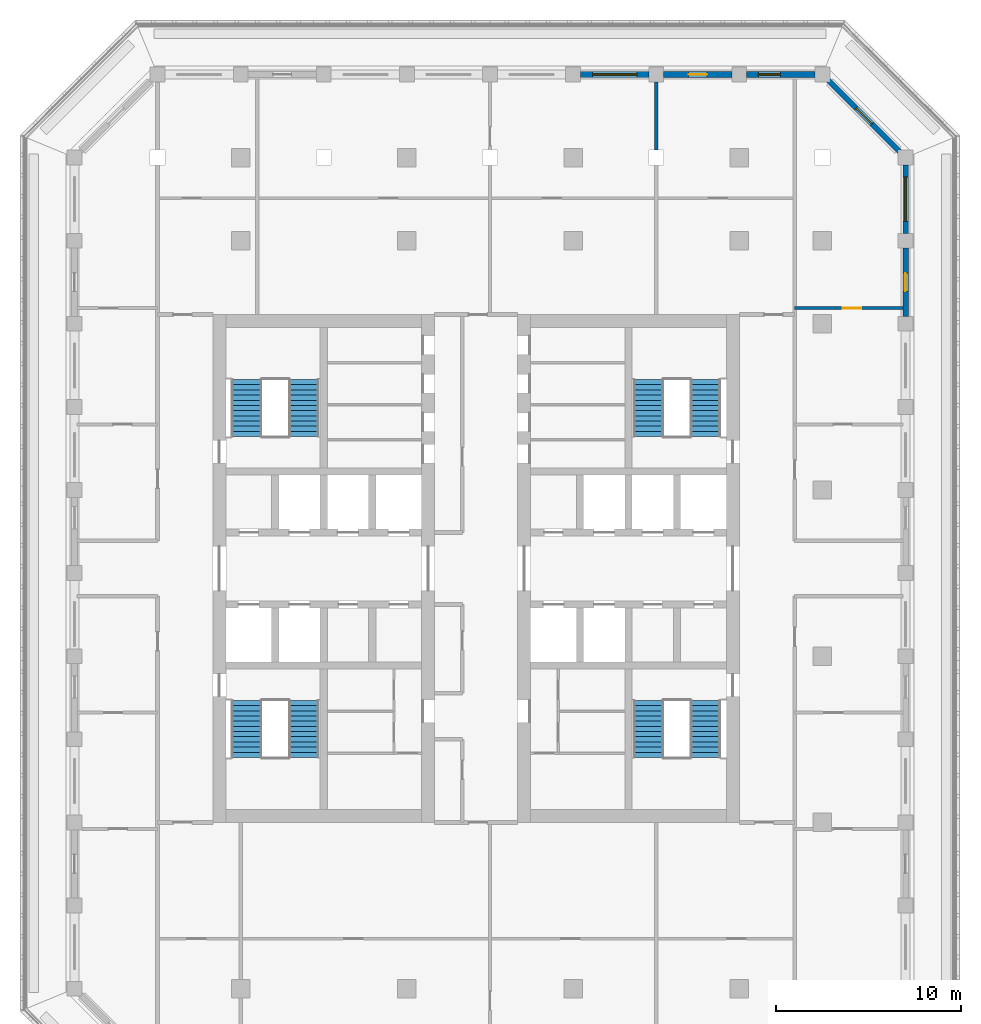
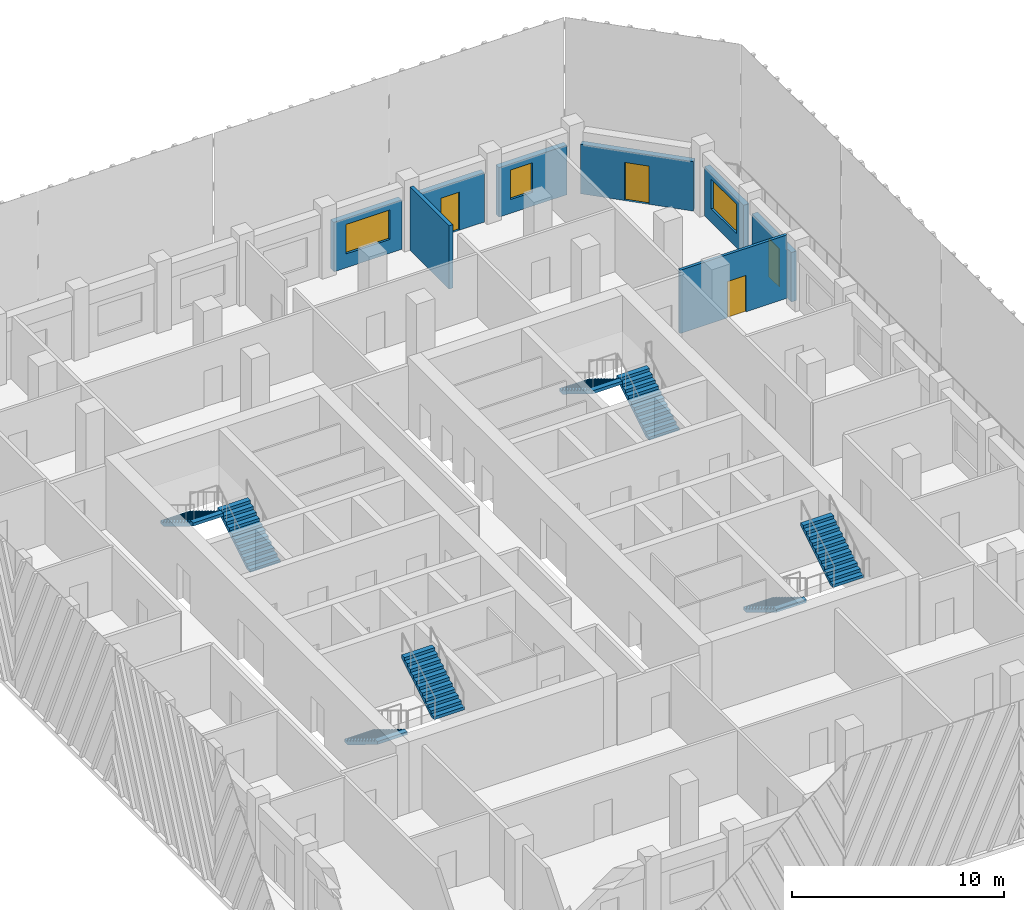
# One storey, part 8 of 17: 8 stair flights, 8 walls, 4 doors, 3 windows, 7 openings, 4 elements without a shape of their own.
"""IFC4 building model written with IfcOpenShell, lengths in metres."""

from ifc_helpers import new_model, si_unit, direction, frame, frame_2d, origin, place, context, subcontext, project, spatial, polyline, rectangle, outline, extrude, material, layer, layer_set, type_object, element, fill, aggregate, save


model = new_model("IFC4")

# Units and contexts
model_context = context("Model", 3, precision=1e-05, world=origin(), true_north=direction((0.0, 1.0)))
body_context = subcontext(model_context, "Body", "Model", "MODEL_VIEW")
ifc_project = project(units=[si_unit("LENGTHUNIT", "METRE"), si_unit("AREAUNIT", "SQUARE_METRE"), si_unit("VOLUMEUNIT", "CUBIC_METRE"), si_unit("PLANEANGLEUNIT", "RADIAN"), si_unit("MASSUNIT", "GRAM", prefix="KILO")], contexts=[model_context])

# Site, building, storey
site_placement = place(None, origin())
site = spatial("IfcSite", under=ifc_project, at=site_placement, CompositionType="ELEMENT")
building_placement = place(site_placement, origin())
building = spatial("IfcBuilding", under=site, at=building_placement, Name="Corbel Stack Research Tower", CompositionType="ELEMENT")
storey_placement = place(building_placement, frame((0.0, 0.0, 231.60009765625)))
storey = spatial("IfcBuildingStorey", under=building, at=storey_placement, Name="L52", CompositionType="ELEMENT", Elevation=231.60009765625)

# Wall
ifc_material_1 = material(Name="Fire-rated gypsum board partition on steel studs", Category="steel")
ifc_layer_1 = layer(ifc_material_1, 0.199951171875)
ifc_layer_set_1 = layer_set([ifc_layer_1], Name="Fire-rated gypsum board partition on steel studs")
wall_type_1 = type_object("IfcWallType", Name="Fire-rated partition 200 EI 60", PredefinedType="PARTITIONING", material=ifc_layer_set_1)
wall_1_placement = place(storey_placement, frame((13.5, 27.39990234375, 0.0), z_axis=(0.0, 0.0, 1.0), x_axis=(0.0, 1.0, 0.0)))
element("IfcWall", 1, at=wall_1_placement, inside=storey, type_object=wall_type_1, Name="Partition L52-015", PredefinedType="PARTITIONING", context=body_context, shape_type="SweptSolid", body=[
    extrude(rectangle(XDim=3.7001953125, YDim=0.199951171875, at=frame_2d((1.85009765625, 0.0))), origin(), (0.0, 0.0, 1.0), 3.64990234375),
])

# Wall, opening, door
ifc_material_2 = material(Name="Gypsum board partition on steel studs", Category="steel")
ifc_layer_2 = layer(ifc_material_2, 0.14990234375)
ifc_layer_set_2 = layer_set([ifc_layer_2], Name="Gypsum board partition on steel studs")
wall_type_2 = type_object("IfcWallType", Name="Partition 150", PredefinedType="PARTITIONING", material=ifc_layer_set_2)
wall_2_placement = place(storey_placement, frame((21.0, 18.85009765625, 0.0), z_axis=(0.0, 0.0, 1.0), x_axis=(1.0, 0.0, 0.0)))
wall_2 = element("IfcWall", 2, at=wall_2_placement, inside=storey, type_object=wall_type_2, Name="Partition L52-041", PredefinedType="PARTITIONING", context=body_context, shape_type="SweptSolid", body=[
    extrude(rectangle(XDim=5.85009765625, YDim=0.14990234375, at=frame_2d((2.925048828125, 0.0))), origin(), (0.0, 0.0, 1.0), 3.64990234375),
])
opening_1_placement = place(wall_2_placement, frame((2.60009765625, 0.0, 0.0)))
opening_1 = element("IfcOpeningElement", 3, at=opening_1_placement, cuts=wall_2, Name="Opening B7V0H-025", PredefinedType="OPENING", context=body_context, shape_type="SweptSolid", body=[
    extrude(rectangle(XDim=1.0, YDim=2.10009765625, at=frame_2d((0.5, 1.050048828125))), frame((0.0, 0.0849609375, 0.0), z_axis=(0.0, -1.0, 0.0), x_axis=(1.0, 0.0, 0.0)), (0.0, 0.0, 1.0), 0.169921875),
])
ifc_material_3 = material(Name="Painted timber door", Category="wood")
door_type_1 = type_object("IfcDoorType", Name="Single door 1000 x 2100", OperationType="NOTDEFINED", PredefinedType="DOOR", material=ifc_material_3)
door_1_placement = place(opening_1_placement, origin())
door_1 = element("IfcDoor", 4, at=door_1_placement, inside=storey, type_object=door_type_1, Name="Door B7V0H-025", OperationType="SINGLE_SWING_RIGHT", OverallHeight=2.10009765625, OverallWidth=1.0, PredefinedType="DOOR", context=body_context, shape_type="SweptSolid", body=[
    extrude(rectangle(XDim=1.0, YDim=2.10009765625, at=frame_2d((0.5, 1.050048828125))), frame((0.0, 0.02490234375, 0.0), z_axis=(0.0, -1.0, 0.0), x_axis=(1.0, 0.0, 0.0)), (0.0, 0.0, 1.0), 0.050048828125),
])
fill(opening_1, door_1)

ifc_material_4 = material(Name="Concrete C45/55", Category="concrete")
ifc_layer_3 = layer(ifc_material_4, 0.300048828125)
ifc_layer_set_3 = layer_set([ifc_layer_3], Name="Concrete C45/55")
wall_type_3 = type_object("IfcWallType", Name="Terracotta-faced concrete wall 300", PredefinedType="SOLIDWALL", material=ifc_layer_set_3)
wall_3_placement = place(storey_placement, frame((27.0, 22.10009765625, 0.0), z_axis=(0.0, 0.0, 1.0), x_axis=(0.0, -1.0, 0.0)))
wall_3 = element("IfcWall", 5, at=wall_3_placement, inside=storey, type_object=wall_type_3, Name="Facade wall L52 E09", PredefinedType="SOLIDWALL", context=body_context, shape_type="SweptSolid", body=[
    extrude(rectangle(XDim=3.7001953125, YDim=0.300048828125, at=frame_2d((1.85009765625, 0.0))), origin(), (0.0, 0.0, 1.0), 2.849853515625),
])
opening_2_placement = place(wall_3_placement, frame((1.35009765625, 0.0, 0.0)))
opening_2 = element("IfcOpeningElement", 6, at=opening_2_placement, cuts=wall_3, Name="Opening L52-B05", PredefinedType="OPENING", context=body_context, shape_type="SweptSolid", body=[
    extrude(rectangle(XDim=1.0, YDim=2.199951171875, at=frame_2d((0.5, 1.10009765625))), frame((0.0, 0.159912109375, 0.0), z_axis=(0.0, -1.0, 0.0), x_axis=(1.0, 0.0, 0.0)), (0.0, 0.0, 1.0), 0.320068359375),
])
ifc_material_5 = material(Name="Aluminium frame, clear double glazing", Category="aluminium")
door_type_2 = type_object("IfcDoorType", Name="Balcony door BD1 1000 x 2200", OperationType="NOTDEFINED", PredefinedType="DOOR", material=ifc_material_5)
door_2_placement = place(opening_2_placement, origin())
door_2 = element("IfcDoor", 7, at=door_2_placement, inside=storey, type_object=door_type_2, Name="Balcony door L52-B05", OperationType="SINGLE_SWING_LEFT", OverallHeight=2.199951171875, OverallWidth=1.0, PredefinedType="DOOR", context=body_context, shape_type="SweptSolid", body=[
    extrude(rectangle(XDim=1.0, YDim=2.199951171875, at=frame_2d((0.5, 1.10009765625))), frame((0.0, 0.02490234375, 0.0), z_axis=(0.0, -1.0, 0.0), x_axis=(1.0, 0.0, 0.0)), (0.0, 0.0, 1.0), 0.050048828125),
])
fill(opening_2, door_2)

# Wall, opening, window
wall_4_placement = place(storey_placement, frame((27.0, 26.60009765625, 0.0), z_axis=(0.0, 0.0, 1.0), x_axis=(0.0, -1.0, 0.0)))
wall_4 = element("IfcWall", 8, at=wall_4_placement, inside=storey, type_object=wall_type_3, Name="Facade wall L52 E10", PredefinedType="SOLIDWALL", context=body_context, shape_type="SweptSolid", body=[
    extrude(rectangle(XDim=3.7001953125, YDim=0.300048828125, at=frame_2d((1.85009765625, 0.0))), origin(), (0.0, 0.0, 1.0), 2.849853515625),
])
opening_3_placement = place(wall_4_placement, frame((0.64990234375, 0.0, 0.800048828125)))
opening_3 = element("IfcOpeningElement", 9, at=opening_3_placement, cuts=wall_4, Name="Opening W1", PredefinedType="OPENING", context=body_context, shape_type="SweptSolid", body=[
    extrude(rectangle(XDim=2.39990234375, YDim=1.699951171875, at=frame_2d((1.199951171875, 0.85009765625))), frame((0.0, 0.159912109375, 0.0), z_axis=(0.0, -1.0, 0.0), x_axis=(1.0, 0.0, 0.0)), (0.0, 0.0, 1.0), 0.320068359375),
])
ifc_material_6 = material(Name="Aluminium frame, clear double glazing", Category="aluminium")
window_type_1 = type_object("IfcWindowType", Name="Window W1 2400 x 1700", PartitioningType="SINGLE_PANEL", PredefinedType="WINDOW", material=ifc_material_6)
window_1_placement = place(opening_3_placement, origin())
window_1 = element("IfcWindow", 10, at=window_1_placement, inside=storey, type_object=window_type_1, Name="Window W1 L52 E10", OverallHeight=1.699951171875, OverallWidth=2.39990234375, PartitioningType="SINGLE_PANEL", PredefinedType="WINDOW", context=body_context, shape_type="SweptSolid", body=[
    extrude(rectangle(XDim=2.39990234375, YDim=1.699951171875, at=frame_2d((1.199951171875, 0.85009765625))), frame((0.0, 0.030029296875, 0.0), z_axis=(0.0, -1.0, 0.0), x_axis=(1.0, 0.0, 0.0)), (0.0, 0.0, 1.0), 0.06005859375),
])
fill(opening_3, window_1)

# Wall, opening, door
wall_5_placement = place(storey_placement, frame((22.7939453125, 31.2060546875, 0.0), z_axis=(0.0, 0.0, 1.0), x_axis=(0.707106781187, -0.707106781187, 0.0)))
wall_5 = element("IfcWall", 11, at=wall_5_placement, inside=storey, type_object=wall_type_3, Name="Facade wall L52 NE01", PredefinedType="SOLIDWALL", context=body_context, shape_type="SweptSolid", body=[
    extrude(rectangle(XDim=5.532470703125, YDim=0.300048828125, at=frame_2d((2.76611328125, 0.0))), origin(), (0.0, 0.0, 1.0), 2.849853515625),
])
opening_4_placement = place(wall_5_placement, frame((2.166259765625, 0.0, 0.0)))
opening_4 = element("IfcOpeningElement", 12, at=opening_4_placement, cuts=wall_5, Name="Opening L52-B06", PredefinedType="OPENING", context=body_context, shape_type="SweptSolid", body=[
    extrude(rectangle(XDim=1.199951171875, YDim=2.199951171875, at=frame_2d((0.60009765625, 1.10009765625))), frame((0.0, 0.159912109375, 0.0), z_axis=(0.0, -1.0, 0.0), x_axis=(1.0, 0.0, 0.0)), (0.0, 0.0, 1.0), 0.320068359375),
])
ifc_material_7 = material(Name="Aluminium frame, clear double glazing", Category="aluminium")
door_type_3 = type_object("IfcDoorType", Name="Balcony door BD2 1200 x 2200", OperationType="NOTDEFINED", PredefinedType="DOOR", material=ifc_material_7)
door_3_placement = place(opening_4_placement, origin())
door_3 = element("IfcDoor", 13, at=door_3_placement, inside=storey, type_object=door_type_3, Name="Balcony door L52-B06", OperationType="SINGLE_SWING_LEFT", OverallHeight=2.199951171875, OverallWidth=1.199951171875, PredefinedType="DOOR", context=body_context, shape_type="SweptSolid", body=[
    extrude(rectangle(XDim=1.199951171875, YDim=2.199951171875, at=frame_2d((0.60009765625, 1.10009765625))), frame((0.0, 0.02490234375, 0.0), z_axis=(0.0, -1.0, 0.0), x_axis=(1.0, 0.0, 0.0)), (0.0, 0.0, 1.0), 0.050048828125),
])
fill(opening_4, door_3)

# Wall, opening, window
wall_6_placement = place(storey_placement, frame((18.39990234375, 31.5, 0.0), z_axis=(0.0, 0.0, 1.0), x_axis=(1.0, 0.0, 0.0)))
wall_6 = element("IfcWall", 14, at=wall_6_placement, inside=storey, type_object=wall_type_3, Name="Facade wall L52 N01", PredefinedType="SOLIDWALL", context=body_context, shape_type="SweptSolid", body=[
    extrude(rectangle(XDim=3.7001953125, YDim=0.300048828125, at=frame_2d((1.85009765625, 0.0))), origin(), (0.0, 0.0, 1.0), 2.849853515625),
])
opening_5_placement = place(wall_6_placement, frame((0.625, 0.0, 0.800048828125)))
opening_5 = element("IfcOpeningElement", 15, at=opening_5_placement, cuts=wall_6, Name="Opening W2", PredefinedType="OPENING", context=body_context, shape_type="SweptSolid", body=[
    extrude(rectangle(XDim=1.199951171875, YDim=1.699951171875, at=frame_2d((0.60009765625, 0.85009765625))), frame((0.0, 0.159912109375, 0.0), z_axis=(0.0, -1.0, 0.0), x_axis=(1.0, 0.0, 0.0)), (0.0, 0.0, 1.0), 0.320068359375),
])
ifc_material_8 = material(Name="Aluminium frame, clear double glazing", Category="aluminium")
window_type_2 = type_object("IfcWindowType", Name="Window W2 1200 x 1700", PartitioningType="SINGLE_PANEL", PredefinedType="WINDOW", material=ifc_material_8)
window_2_placement = place(opening_5_placement, origin())
window_2 = element("IfcWindow", 16, at=window_2_placement, inside=storey, type_object=window_type_2, Name="Window W2 L52 N01", OverallHeight=1.699951171875, OverallWidth=1.199951171875, PartitioningType="SINGLE_PANEL", PredefinedType="WINDOW", context=body_context, shape_type="SweptSolid", body=[
    extrude(rectangle(XDim=1.199951171875, YDim=1.699951171875, at=frame_2d((0.60009765625, 0.85009765625))), frame((0.0, 0.030029296875, 0.0), z_axis=(0.0, -1.0, 0.0), x_axis=(1.0, 0.0, 0.0)), (0.0, 0.0, 1.0), 0.06005859375),
])
fill(opening_5, window_2)

# Wall, opening, door
wall_7_placement = place(storey_placement, frame((13.89990234375, 31.5, 0.0), z_axis=(0.0, 0.0, 1.0), x_axis=(1.0, 0.0, 0.0)))
wall_7 = element("IfcWall", 17, at=wall_7_placement, inside=storey, type_object=wall_type_3, Name="Facade wall L52 N02", PredefinedType="SOLIDWALL", context=body_context, shape_type="SweptSolid", body=[
    extrude(rectangle(XDim=3.7001953125, YDim=0.300048828125, at=frame_2d((1.85009765625, 0.0))), origin(), (0.0, 0.0, 1.0), 2.849853515625),
])
opening_6_placement = place(wall_7_placement, frame((1.35009765625, 0.0, 0.0)))
opening_6 = element("IfcOpeningElement", 18, at=opening_6_placement, cuts=wall_7, Name="Opening L52-B07", PredefinedType="OPENING", context=body_context, shape_type="SweptSolid", body=[
    extrude(rectangle(XDim=1.0, YDim=2.199951171875, at=frame_2d((0.5, 1.10009765625))), frame((0.0, 0.159912109375, 0.0), z_axis=(0.0, -1.0, 0.0), x_axis=(1.0, 0.0, 0.0)), (0.0, 0.0, 1.0), 0.320068359375),
])
door_4_placement = place(opening_6_placement, origin())
door_4 = element("IfcDoor", 19, at=door_4_placement, inside=storey, type_object=door_type_2, Name="Balcony door L52-B07", OperationType="SINGLE_SWING_RIGHT", OverallHeight=2.199951171875, OverallWidth=1.0, PredefinedType="DOOR", context=body_context, shape_type="SweptSolid", body=[
    extrude(rectangle(XDim=1.0, YDim=2.199951171875, at=frame_2d((0.5, 1.10009765625))), frame((0.0, 0.02490234375, 0.0), z_axis=(0.0, -1.0, 0.0), x_axis=(1.0, 0.0, 0.0)), (0.0, 0.0, 1.0), 0.050048828125),
])
fill(opening_6, door_4)

# Wall, opening, window
wall_8_placement = place(storey_placement, frame((9.39990234375, 31.5, 0.0), z_axis=(0.0, 0.0, 1.0), x_axis=(1.0, 0.0, 0.0)))
wall_8 = element("IfcWall", 20, at=wall_8_placement, inside=storey, type_object=wall_type_3, Name="Facade wall L52 N03", PredefinedType="SOLIDWALL", context=body_context, shape_type="SweptSolid", body=[
    extrude(rectangle(XDim=3.7001953125, YDim=0.300048828125, at=frame_2d((1.85009765625, 0.0))), origin(), (0.0, 0.0, 1.0), 2.849853515625),
])
opening_7_placement = place(wall_8_placement, frame((0.64990234375, 0.0, 0.800048828125)))
opening_7 = element("IfcOpeningElement", 21, at=opening_7_placement, cuts=wall_8, Name="Opening W1", PredefinedType="OPENING", context=body_context, shape_type="SweptSolid", body=[
    extrude(rectangle(XDim=2.39990234375, YDim=1.699951171875, at=frame_2d((1.199951171875, 0.85009765625))), frame((0.0, 0.159912109375, 0.0), z_axis=(0.0, -1.0, 0.0), x_axis=(1.0, 0.0, 0.0)), (0.0, 0.0, 1.0), 0.320068359375),
])
window_3_placement = place(opening_7_placement, origin())
window_3 = element("IfcWindow", 22, at=window_3_placement, inside=storey, type_object=window_type_1, Name="Window W1 L52 N03", OverallHeight=1.699951171875, OverallWidth=2.39990234375, PartitioningType="SINGLE_PANEL", PredefinedType="WINDOW", context=body_context, shape_type="SweptSolid", body=[
    extrude(rectangle(XDim=2.39990234375, YDim=1.699951171875, at=frame_2d((1.199951171875, 0.85009765625))), frame((0.0, 0.030029296875, 0.0), z_axis=(0.0, -1.0, 0.0), x_axis=(1.0, 0.0, 0.0)), (0.0, 0.0, 1.0), 0.06005859375),
])
fill(opening_7, window_3)

# Stair, stair flights
ifc_material_9 = material(Name="Concrete C40/50", Category="concrete")
stair_type = type_object("IfcStairType", Name="Exit stair 24 risers", PredefinedType="HALF_TURN_STAIR", material=ifc_material_9)
stair_1_placement = place(storey_placement, origin())
stair_1 = element("IfcStair", 23, at=stair_1_placement, inside=storey, type_object=stair_type, Name="L52 Exit stair ST-W1", PredefinedType="HALF_TURN_STAIR")
ifc_material_10 = material(Name="Concrete C40/50", Category="concrete")
stair_flight_type = type_object("IfcStairFlightType", Name="Stair flight 12 risers", PredefinedType="STRAIGHT", material=ifc_material_10)
stair_flight_1_placement = place(storey_placement, frame((-8.675048828125, -2.39990234375, 0.0), z_axis=(0.0, 0.0, 1.0), x_axis=(0.0, -1.0, 0.0)))
stair_flight_1 = element("IfcStairFlight", 24, at=stair_flight_1_placement, type_object=stair_flight_type, Name="ST-W1 flight 1", NumberOfRisers=12, NumberOfTreads=11, PredefinedType="STRAIGHT", RiserHeight=0.170833333, TreadLength=0.28, context=body_context, shape_type="SweptSolid", body=[
    extrude(outline(polyline([(0.0, 0.0), (0.0, 0.1708984375), (0.280029296875, 0.1708984375), (0.280029296875, 0.341552734375), (0.56005859375, 0.341552734375), (0.56005859375, 0.512451171875), (0.840087890625, 0.512451171875), (0.840087890625, 0.683349609375), (1.1201171875, 0.683349609375), (1.1201171875, 0.854248046875), (1.39990234375, 0.854248046875), (1.39990234375, 1.02490234375), (1.679931640625, 1.02490234375), (1.679931640625, 1.19580078125), (1.9599609375, 1.19580078125), (1.9599609375, 1.36669921875), (2.239990234375, 1.36669921875), (2.239990234375, 1.53759765625), (2.52001953125, 1.53759765625), (2.52001953125, 1.708251953125), (2.800048828125, 1.708251953125), (2.800048828125, 1.879150390625), (3.080078125, 1.879150390625), (3.080078125, 2.050048828125), (3.080078125, 1.70361328125), (0.287841796875, 0.0), (0.0, 0.0)])), frame((0.0, 0.824951171875, 0.0), z_axis=(0.0, -1.0, 0.0), x_axis=(1.0, 0.0, 0.0)), (0.0, 0.0, 1.0), 1.64990234375),
])
stair_flight_2_placement = place(storey_placement, frame((-5.574951171875, -5.47998046875, 2.0498046875), z_axis=(0.0, 0.0, 1.0), x_axis=(0.0, 1.0, 0.0)))
stair_flight_2 = element("IfcStairFlight", 25, at=stair_flight_2_placement, type_object=stair_flight_type, Name="ST-W1 flight 2", NumberOfRisers=12, NumberOfTreads=11, PredefinedType="STRAIGHT", RiserHeight=0.170833333, TreadLength=0.28, context=body_context, shape_type="SweptSolid", body=[
    extrude(outline(polyline([(0.0, 0.0), (0.0, 0.1708984375), (0.280029296875, 0.1708984375), (0.280029296875, 0.341552734375), (0.56005859375, 0.341552734375), (0.56005859375, 0.512451171875), (0.840087890625, 0.512451171875), (0.840087890625, 0.683349609375), (1.1201171875, 0.683349609375), (1.1201171875, 0.854248046875), (1.39990234375, 0.854248046875), (1.39990234375, 1.02490234375), (1.679931640625, 1.02490234375), (1.679931640625, 1.19580078125), (1.9599609375, 1.19580078125), (1.9599609375, 1.36669921875), (2.239990234375, 1.36669921875), (2.239990234375, 1.53759765625), (2.52001953125, 1.53759765625), (2.52001953125, 1.708251953125), (2.800048828125, 1.708251953125), (2.800048828125, 1.879150390625), (3.080078125, 1.879150390625), (3.080078125, 2.050048828125), (3.080078125, 1.70361328125), (0.287841796875, 0.0), (0.0, 0.0)])), frame((0.0, 0.824951171875, 0.0), z_axis=(0.0, -1.0, 0.0), x_axis=(1.0, 0.0, 0.0)), (0.0, 0.0, 1.0), 1.64990234375),
])
aggregate(stair_1, [stair_flight_1, stair_flight_2])

stair_2_placement = place(storey_placement, origin())
stair_2 = element("IfcStair", 26, at=stair_2_placement, inside=storey, type_object=stair_type, Name="L52 Exit stair ST-W2", PredefinedType="HALF_TURN_STAIR")
stair_flight_3_placement = place(storey_placement, frame((-5.574951171875, 11.89990234375, 0.0), z_axis=(0.0, 0.0, 1.0), x_axis=(0.0, 1.0, 0.0)))
stair_flight_3 = element("IfcStairFlight", 27, at=stair_flight_3_placement, type_object=stair_flight_type, Name="ST-W2 flight 1", NumberOfRisers=12, NumberOfTreads=11, PredefinedType="STRAIGHT", RiserHeight=0.170833333, TreadLength=0.28, context=body_context, shape_type="SweptSolid", body=[
    extrude(outline(polyline([(0.0, 0.0), (0.0, 0.1708984375), (0.280029296875, 0.1708984375), (0.280029296875, 0.341552734375), (0.56005859375, 0.341552734375), (0.56005859375, 0.512451171875), (0.840087890625, 0.512451171875), (0.840087890625, 0.683349609375), (1.1201171875, 0.683349609375), (1.1201171875, 0.854248046875), (1.39990234375, 0.854248046875), (1.39990234375, 1.02490234375), (1.679931640625, 1.02490234375), (1.679931640625, 1.19580078125), (1.9599609375, 1.19580078125), (1.9599609375, 1.36669921875), (2.239990234375, 1.36669921875), (2.239990234375, 1.53759765625), (2.52001953125, 1.53759765625), (2.52001953125, 1.708251953125), (2.800048828125, 1.708251953125), (2.800048828125, 1.879150390625), (3.080078125, 1.879150390625), (3.080078125, 2.050048828125), (3.080078125, 1.70361328125), (0.287841796875, 0.0), (0.0, 0.0)])), frame((0.0, 0.824951171875, 0.0), z_axis=(0.0, -1.0, 0.0), x_axis=(1.0, 0.0, 0.0)), (0.0, 0.0, 1.0), 1.64990234375),
])
stair_flight_4_placement = place(storey_placement, frame((-8.675048828125, 14.97998046875, 2.0498046875), z_axis=(0.0, 0.0, 1.0), x_axis=(0.0, -1.0, 0.0)))
stair_flight_4 = element("IfcStairFlight", 28, at=stair_flight_4_placement, type_object=stair_flight_type, Name="ST-W2 flight 2", NumberOfRisers=12, NumberOfTreads=11, PredefinedType="STRAIGHT", RiserHeight=0.170833333, TreadLength=0.28, context=body_context, shape_type="SweptSolid", body=[
    extrude(outline(polyline([(0.0, 0.0), (0.0, 0.1708984375), (0.280029296875, 0.1708984375), (0.280029296875, 0.341552734375), (0.56005859375, 0.341552734375), (0.56005859375, 0.512451171875), (0.840087890625, 0.512451171875), (0.840087890625, 0.683349609375), (1.1201171875, 0.683349609375), (1.1201171875, 0.854248046875), (1.39990234375, 0.854248046875), (1.39990234375, 1.02490234375), (1.679931640625, 1.02490234375), (1.679931640625, 1.19580078125), (1.9599609375, 1.19580078125), (1.9599609375, 1.36669921875), (2.239990234375, 1.36669921875), (2.239990234375, 1.53759765625), (2.52001953125, 1.53759765625), (2.52001953125, 1.708251953125), (2.800048828125, 1.708251953125), (2.800048828125, 1.879150390625), (3.080078125, 1.879150390625), (3.080078125, 2.050048828125), (3.080078125, 1.70361328125), (0.287841796875, 0.0), (0.0, 0.0)])), frame((0.0, 0.824951171875, 0.0), z_axis=(0.0, -1.0, 0.0), x_axis=(1.0, 0.0, 0.0)), (0.0, 0.0, 1.0), 1.64990234375),
])
aggregate(stair_2, [stair_flight_3, stair_flight_4])

stair_3_placement = place(storey_placement, origin())
stair_3 = element("IfcStair", 29, at=stair_3_placement, inside=storey, type_object=stair_type, Name="L52 Exit stair ST-E1", PredefinedType="HALF_TURN_STAIR")
stair_flight_5_placement = place(storey_placement, frame((13.074951171875, -2.39990234375, 0.0), z_axis=(0.0, 0.0, 1.0), x_axis=(0.0, -1.0, 0.0)))
stair_flight_5 = element("IfcStairFlight", 30, at=stair_flight_5_placement, type_object=stair_flight_type, Name="ST-E1 flight 1", NumberOfRisers=12, NumberOfTreads=11, PredefinedType="STRAIGHT", RiserHeight=0.170833333, TreadLength=0.28, context=body_context, shape_type="SweptSolid", body=[
    extrude(outline(polyline([(0.0, 0.0), (0.0, 0.1708984375), (0.280029296875, 0.1708984375), (0.280029296875, 0.341552734375), (0.56005859375, 0.341552734375), (0.56005859375, 0.512451171875), (0.840087890625, 0.512451171875), (0.840087890625, 0.683349609375), (1.1201171875, 0.683349609375), (1.1201171875, 0.854248046875), (1.39990234375, 0.854248046875), (1.39990234375, 1.02490234375), (1.679931640625, 1.02490234375), (1.679931640625, 1.19580078125), (1.9599609375, 1.19580078125), (1.9599609375, 1.36669921875), (2.239990234375, 1.36669921875), (2.239990234375, 1.53759765625), (2.52001953125, 1.53759765625), (2.52001953125, 1.708251953125), (2.800048828125, 1.708251953125), (2.800048828125, 1.879150390625), (3.080078125, 1.879150390625), (3.080078125, 2.050048828125), (3.080078125, 1.70361328125), (0.287841796875, 0.0), (0.0, 0.0)])), frame((0.0, 0.824951171875, 0.0), z_axis=(0.0, -1.0, 0.0), x_axis=(1.0, 0.0, 0.0)), (0.0, 0.0, 1.0), 1.64990234375),
])
stair_flight_6_placement = place(storey_placement, frame((16.175048828125, -5.47998046875, 2.0498046875), z_axis=(0.0, 0.0, 1.0), x_axis=(0.0, 1.0, 0.0)))
stair_flight_6 = element("IfcStairFlight", 31, at=stair_flight_6_placement, type_object=stair_flight_type, Name="ST-E1 flight 2", NumberOfRisers=12, NumberOfTreads=11, PredefinedType="STRAIGHT", RiserHeight=0.170833333, TreadLength=0.28, context=body_context, shape_type="SweptSolid", body=[
    extrude(outline(polyline([(0.0, 0.0), (0.0, 0.1708984375), (0.280029296875, 0.1708984375), (0.280029296875, 0.341552734375), (0.56005859375, 0.341552734375), (0.56005859375, 0.512451171875), (0.840087890625, 0.512451171875), (0.840087890625, 0.683349609375), (1.1201171875, 0.683349609375), (1.1201171875, 0.854248046875), (1.39990234375, 0.854248046875), (1.39990234375, 1.02490234375), (1.679931640625, 1.02490234375), (1.679931640625, 1.19580078125), (1.9599609375, 1.19580078125), (1.9599609375, 1.36669921875), (2.239990234375, 1.36669921875), (2.239990234375, 1.53759765625), (2.52001953125, 1.53759765625), (2.52001953125, 1.708251953125), (2.800048828125, 1.708251953125), (2.800048828125, 1.879150390625), (3.080078125, 1.879150390625), (3.080078125, 2.050048828125), (3.080078125, 1.70361328125), (0.287841796875, 0.0), (0.0, 0.0)])), frame((0.0, 0.824951171875, 0.0), z_axis=(0.0, -1.0, 0.0), x_axis=(1.0, 0.0, 0.0)), (0.0, 0.0, 1.0), 1.64990234375),
])
aggregate(stair_3, [stair_flight_5, stair_flight_6])

stair_4_placement = place(storey_placement, origin())
stair_4 = element("IfcStair", 32, at=stair_4_placement, inside=storey, type_object=stair_type, Name="L52 Exit stair ST-E2", PredefinedType="HALF_TURN_STAIR")
stair_flight_7_placement = place(storey_placement, frame((16.175048828125, 11.89990234375, 0.0), z_axis=(0.0, 0.0, 1.0), x_axis=(0.0, 1.0, 0.0)))
stair_flight_7 = element("IfcStairFlight", 33, at=stair_flight_7_placement, type_object=stair_flight_type, Name="ST-E2 flight 1", NumberOfRisers=12, NumberOfTreads=11, PredefinedType="STRAIGHT", RiserHeight=0.170833333, TreadLength=0.28, context=body_context, shape_type="SweptSolid", body=[
    extrude(outline(polyline([(0.0, 0.0), (0.0, 0.1708984375), (0.280029296875, 0.1708984375), (0.280029296875, 0.341552734375), (0.56005859375, 0.341552734375), (0.56005859375, 0.512451171875), (0.840087890625, 0.512451171875), (0.840087890625, 0.683349609375), (1.1201171875, 0.683349609375), (1.1201171875, 0.854248046875), (1.39990234375, 0.854248046875), (1.39990234375, 1.02490234375), (1.679931640625, 1.02490234375), (1.679931640625, 1.19580078125), (1.9599609375, 1.19580078125), (1.9599609375, 1.36669921875), (2.239990234375, 1.36669921875), (2.239990234375, 1.53759765625), (2.52001953125, 1.53759765625), (2.52001953125, 1.708251953125), (2.800048828125, 1.708251953125), (2.800048828125, 1.879150390625), (3.080078125, 1.879150390625), (3.080078125, 2.050048828125), (3.080078125, 1.70361328125), (0.287841796875, 0.0), (0.0, 0.0)])), frame((0.0, 0.824951171875, 0.0), z_axis=(0.0, -1.0, 0.0), x_axis=(1.0, 0.0, 0.0)), (0.0, 0.0, 1.0), 1.64990234375),
])
stair_flight_8_placement = place(storey_placement, frame((13.074951171875, 14.97998046875, 2.0498046875), z_axis=(0.0, 0.0, 1.0), x_axis=(0.0, -1.0, 0.0)))
stair_flight_8 = element("IfcStairFlight", 34, at=stair_flight_8_placement, type_object=stair_flight_type, Name="ST-E2 flight 2", NumberOfRisers=12, NumberOfTreads=11, PredefinedType="STRAIGHT", RiserHeight=0.170833333, TreadLength=0.28, context=body_context, shape_type="SweptSolid", body=[
    extrude(outline(polyline([(0.0, 0.0), (0.0, 0.1708984375), (0.280029296875, 0.1708984375), (0.280029296875, 0.341552734375), (0.56005859375, 0.341552734375), (0.56005859375, 0.512451171875), (0.840087890625, 0.512451171875), (0.840087890625, 0.683349609375), (1.1201171875, 0.683349609375), (1.1201171875, 0.854248046875), (1.39990234375, 0.854248046875), (1.39990234375, 1.02490234375), (1.679931640625, 1.02490234375), (1.679931640625, 1.19580078125), (1.9599609375, 1.19580078125), (1.9599609375, 1.36669921875), (2.239990234375, 1.36669921875), (2.239990234375, 1.53759765625), (2.52001953125, 1.53759765625), (2.52001953125, 1.708251953125), (2.800048828125, 1.708251953125), (2.800048828125, 1.879150390625), (3.080078125, 1.879150390625), (3.080078125, 2.050048828125), (3.080078125, 1.70361328125), (0.287841796875, 0.0), (0.0, 0.0)])), frame((0.0, 0.824951171875, 0.0), z_axis=(0.0, -1.0, 0.0), x_axis=(1.0, 0.0, 0.0)), (0.0, 0.0, 1.0), 1.64990234375),
])
aggregate(stair_4, [stair_flight_7, stair_flight_8])

save(model, "model.ifc")
